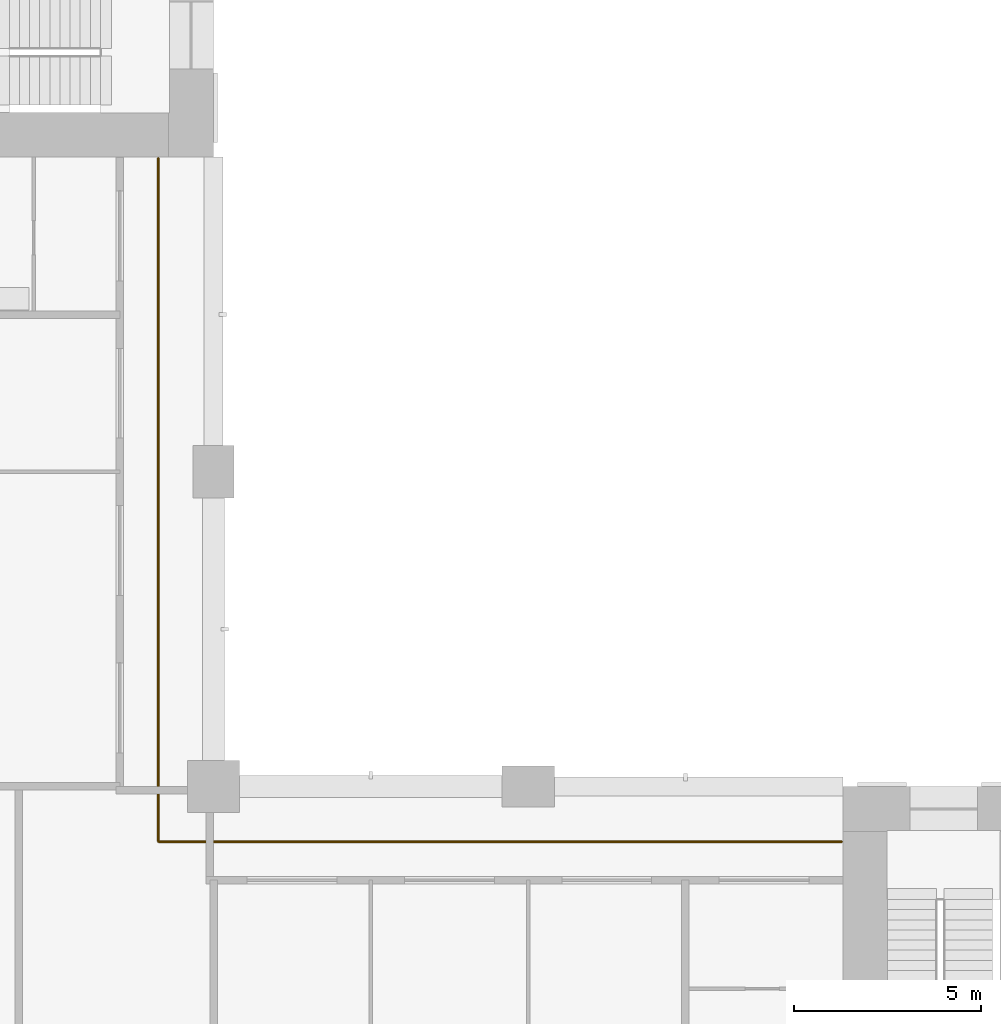
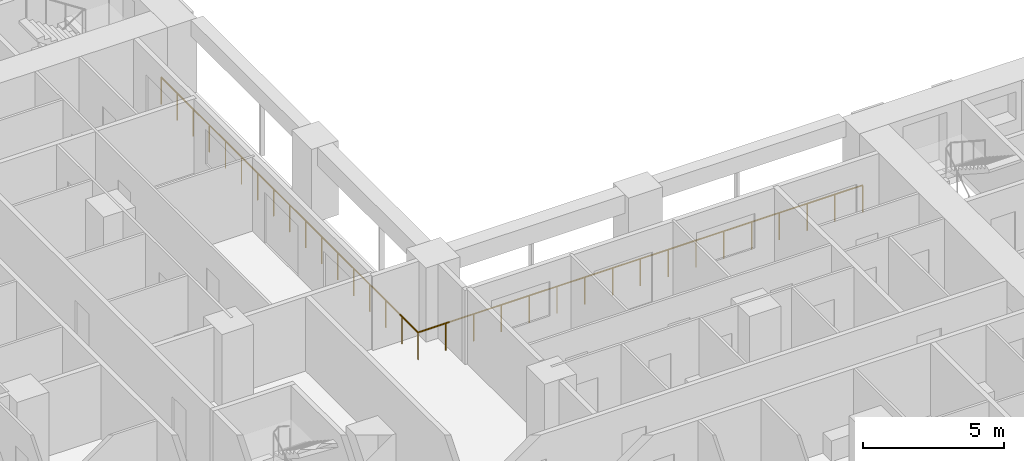
# One storey, part 17 of 19: 1 railing.
"""IFC4 building model written with IfcOpenShell, lengths in metres."""

from ifc_helpers import new_model, si_unit, direction, frame, origin, origin_2d, place, context, subcontext, project, spatial, circle, extrude, material, type_object, element, save


model = new_model("IFC4")

# Units and contexts
model_context = context("Model", 3, precision=1e-05, world=origin(), true_north=direction((0.0, 1.0)))
body_context = subcontext(model_context, "Body", "Model", "MODEL_VIEW")
ifc_project = project(units=[si_unit("LENGTHUNIT", "METRE"), si_unit("AREAUNIT", "SQUARE_METRE"), si_unit("VOLUMEUNIT", "CUBIC_METRE"), si_unit("PLANEANGLEUNIT", "RADIAN"), si_unit("MASSUNIT", "GRAM", prefix="KILO")], contexts=[model_context])

# Site, building, storey
site_placement = place(None, origin())
site = spatial("IfcSite", under=ifc_project, at=site_placement, CompositionType="ELEMENT")
building_placement = place(site_placement, origin())
building = spatial("IfcBuilding", under=site, at=building_placement, Name="Vermilion Gate Residences", CompositionType="ELEMENT")
storey_placement = place(building_placement, frame((0.0, 0.0, 46.199951171875)))
storey = spatial("IfcBuildingStorey", under=building, at=storey_placement, Name="L10", CompositionType="ELEMENT", Elevation=46.199951171875)

# Railing
ifc_material = material(Name="Stainless steel and toughened glass", Category="steel")
railing_type = type_object("IfcRailingType", Name="LOGGIA GUARD STEEL AND GLASS 1200", PredefinedType="GUARDRAIL", material=ifc_material)
railing_placement = place(storey_placement, frame((41.97802734375, 23.72509765625, 0.0)))
element("IfcRailing", 1, at=railing_placement, inside=storey, type_object=railing_type, Name="Loggia guard", PredefinedType="GUARDRAIL", context=body_context, shape_type="SweptSolid", body=[
    extrude(circle(Radius=0.030029296875, at=origin_2d()), frame((0.0, 0.0, 1.169921875), z_axis=(-1.0, 0.0, 0.0), x_axis=(0.0, -1.0, 0.0)), (0.0, 0.0, 1.0), 18.2529296875),
    extrude(circle(Radius=0.030029296875, at=origin_2d()), frame((-18.2529296875, 0.0, 1.169921875), z_axis=(0.0, 1.0, 0.0), x_axis=(-1.0, 0.0, 0.0)), (0.0, 0.0, 1.0), 18.2529296875),
    extrude(circle(Radius=0.02490234375, at=origin_2d()), origin(), (0.0, 0.0, 1.0), 1.139892578125),
    extrude(circle(Radius=0.02490234375, at=origin_2d()), frame((-1.140869140625, 0.0, 0.0)), (0.0, 0.0, 1.0), 1.139892578125),
    extrude(circle(Radius=0.02490234375, at=origin_2d()), frame((-2.28173828125, 0.0, 0.0)), (0.0, 0.0, 1.0), 1.139892578125),
    extrude(circle(Radius=0.02490234375, at=origin_2d()), frame((-3.42236328125, 0.0, 0.0)), (0.0, 0.0, 1.0), 1.139892578125),
    extrude(circle(Radius=0.02490234375, at=origin_2d()), frame((-4.563232421875, 0.0, 0.0)), (0.0, 0.0, 1.0), 1.139892578125),
    extrude(circle(Radius=0.02490234375, at=origin_2d()), frame((-5.7041015625, 0.0, 0.0)), (0.0, 0.0, 1.0), 1.139892578125),
    extrude(circle(Radius=0.02490234375, at=origin_2d()), frame((-6.8447265625, 0.0, 0.0)), (0.0, 0.0, 1.0), 1.139892578125),
    extrude(circle(Radius=0.02490234375, at=origin_2d()), frame((-7.985595703125, 0.0, 0.0)), (0.0, 0.0, 1.0), 1.139892578125),
    extrude(circle(Radius=0.02490234375, at=origin_2d()), frame((-9.12646484375, 0.0, 0.0)), (0.0, 0.0, 1.0), 1.139892578125),
    extrude(circle(Radius=0.02490234375, at=origin_2d()), frame((-10.267333984375, 0.0, 0.0)), (0.0, 0.0, 1.0), 1.139892578125),
    extrude(circle(Radius=0.02490234375, at=origin_2d()), frame((-11.408203125, 0.0, 0.0)), (0.0, 0.0, 1.0), 1.139892578125),
    extrude(circle(Radius=0.02490234375, at=origin_2d()), frame((-12.548828125, 0.0, 0.0)), (0.0, 0.0, 1.0), 1.139892578125),
    extrude(circle(Radius=0.02490234375, at=origin_2d()), frame((-13.689697265625, 0.0, 0.0)), (0.0, 0.0, 1.0), 1.139892578125),
    extrude(circle(Radius=0.02490234375, at=origin_2d()), frame((-14.83056640625, 0.0, 0.0)), (0.0, 0.0, 1.0), 1.139892578125),
    extrude(circle(Radius=0.02490234375, at=origin_2d()), frame((-15.97119140625, 0.0, 0.0)), (0.0, 0.0, 1.0), 1.139892578125),
    extrude(circle(Radius=0.02490234375, at=origin_2d()), frame((-17.112060546875, 0.0, 0.0)), (0.0, 0.0, 1.0), 1.139892578125),
    extrude(circle(Radius=0.02490234375, at=origin_2d()), frame((-18.2529296875, 0.0, 0.0)), (0.0, 0.0, 1.0), 1.139892578125),
    extrude(circle(Radius=0.02490234375, at=origin_2d()), frame((-18.2529296875, 1.140869140625, 0.0)), (0.0, 0.0, 1.0), 1.139892578125),
    extrude(circle(Radius=0.02490234375, at=origin_2d()), frame((-18.2529296875, 2.28173828125, 0.0)), (0.0, 0.0, 1.0), 1.139892578125),
    extrude(circle(Radius=0.02490234375, at=origin_2d()), frame((-18.2529296875, 3.42236328125, 0.0)), (0.0, 0.0, 1.0), 1.139892578125),
    extrude(circle(Radius=0.02490234375, at=origin_2d()), frame((-18.2529296875, 4.563232421875, 0.0)), (0.0, 0.0, 1.0), 1.139892578125),
    extrude(circle(Radius=0.02490234375, at=origin_2d()), frame((-18.2529296875, 5.7041015625, 0.0)), (0.0, 0.0, 1.0), 1.139892578125),
    extrude(circle(Radius=0.02490234375, at=origin_2d()), frame((-18.2529296875, 6.8447265625, 0.0)), (0.0, 0.0, 1.0), 1.139892578125),
    extrude(circle(Radius=0.02490234375, at=origin_2d()), frame((-18.2529296875, 7.985595703125, 0.0)), (0.0, 0.0, 1.0), 1.139892578125),
    extrude(circle(Radius=0.02490234375, at=origin_2d()), frame((-18.2529296875, 9.12646484375, 0.0)), (0.0, 0.0, 1.0), 1.139892578125),
    extrude(circle(Radius=0.02490234375, at=origin_2d()), frame((-18.2529296875, 10.267333984375, 0.0)), (0.0, 0.0, 1.0), 1.139892578125),
    extrude(circle(Radius=0.02490234375, at=origin_2d()), frame((-18.2529296875, 11.408203125, 0.0)), (0.0, 0.0, 1.0), 1.139892578125),
    extrude(circle(Radius=0.02490234375, at=origin_2d()), frame((-18.2529296875, 12.548828125, 0.0)), (0.0, 0.0, 1.0), 1.139892578125),
    extrude(circle(Radius=0.02490234375, at=origin_2d()), frame((-18.2529296875, 13.689697265625, 0.0)), (0.0, 0.0, 1.0), 1.139892578125),
    extrude(circle(Radius=0.02490234375, at=origin_2d()), frame((-18.2529296875, 14.83056640625, 0.0)), (0.0, 0.0, 1.0), 1.139892578125),
    extrude(circle(Radius=0.02490234375, at=origin_2d()), frame((-18.2529296875, 15.97119140625, 0.0)), (0.0, 0.0, 1.0), 1.139892578125),
    extrude(circle(Radius=0.02490234375, at=origin_2d()), frame((-18.2529296875, 17.112060546875, 0.0)), (0.0, 0.0, 1.0), 1.139892578125),
    extrude(circle(Radius=0.02490234375, at=origin_2d()), frame((-18.2529296875, 18.2529296875, 0.0)), (0.0, 0.0, 1.0), 1.139892578125),
])

save(model, "model.ifc")
